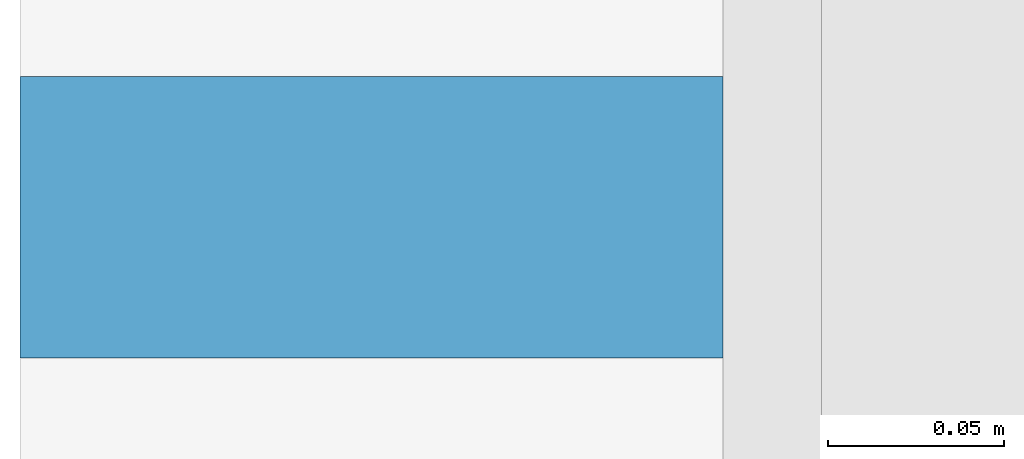
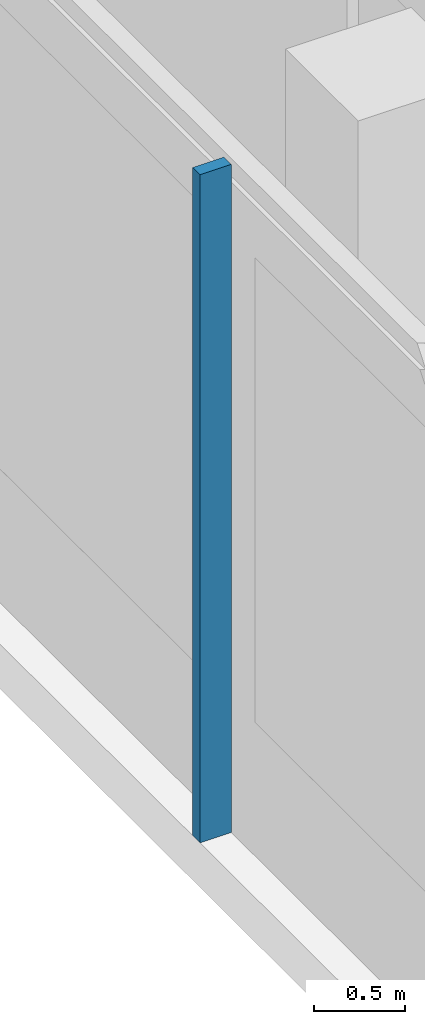
# One storey, part 7 of 39: 1 member, 1 element without a shape of its own.
"""IFC4 building model written with IfcOpenShell, lengths in metres."""

import ifcopenshell
import ifcopenshell.guid

model = None  # the IFC model being written
_history = None  # IfcOwnerHistory: only IFC2X3 demands one
_inside = {}  # id of a spatial element -> (the spatial element, [elements in it])
_under = {}  # id of a project, library or spatial element -> (it, [spatial elements below it])
_declared = {}  # id of a project -> (the project, [libraries it declares])
_typed = {}  # id of a type object -> (the type object, [elements of that type])
_made_of = {}  # id of a material, layer set ... -> (it, [elements and type objects made of it])


def new_model(schema):
    """Start an empty IFC model of exactly this schema.

    Asked for "IFC4X3", IfcOpenShell would pick the latest addendum, in which some entities
    have other attributes; the version numbers below select the first issue.
    IFC2X3 requires an IfcOwnerHistory on every rooted entity: one is made here for all.
    """
    global model, _history
    if schema == "IFC4X3":
        model = ifcopenshell.file(schema_version=(4, 3, 0, 0))
    else:
        model = ifcopenshell.file(schema=schema)
    _inside.clear()
    _under.clear()
    _declared.clear()
    _typed.clear()
    _made_of.clear()
    _history = None
    if model.schema == "IFC2X3":
        org = make("IfcOrganization", Name="unknown")
        user = make(
            "IfcPersonAndOrganization",
            ThePerson=make("IfcPerson", FamilyName="unknown"),
            TheOrganization=org,
        )
        app = make(
            "IfcApplication",
            ApplicationDeveloper=org,
            Version="unknown",
            ApplicationFullName="unknown",
            ApplicationIdentifier="unknown",
        )
        _history = make(
            "IfcOwnerHistory",
            OwningUser=user,
            OwningApplication=app,
            ChangeAction="ADDED",
            CreationDate=0,
        )
    return model


def make(cls, **values):
    """One entity of the class cls with the attributes given. An attribute that is None is left unset."""
    return model.create_entity(
        cls, **{name: value for name, value in values.items() if value is not None}
    )


def rooted(cls, **values):
    """An entity with a GlobalId (a new one), such as an element, a storey or a relation."""
    return make(cls, GlobalId=ifcopenshell.guid.new(), OwnerHistory=_history, **values)


def si_unit(unit_type, name, prefix=None):
    """IfcSIUnit, for example si_unit("LENGTHUNIT", "METRE", prefix="MILLI")."""
    return make("IfcSIUnit", UnitType=unit_type, Prefix=prefix, Name=name)


def assignment(units):
    """IfcUnitAssignment: the units of a project."""
    return None if units is None else make("IfcUnitAssignment", Units=units)


def point(xyz):
    """IfcCartesianPoint."""
    return None if xyz is None else make("IfcCartesianPoint", Coordinates=xyz)


def direction(xyz):
    """IfcDirection."""
    return None if xyz is None else make("IfcDirection", DirectionRatios=xyz)


def frame(location, z_axis=None, x_axis=None):
    """IfcAxis2Placement3D, a coordinate frame: its origin and axes. An axis left out is left unset."""
    return make(
        "IfcAxis2Placement3D",
        Location=point(location),
        Axis=direction(z_axis),
        RefDirection=direction(x_axis),
    )


def frame_2d(location, x_axis=None):
    """IfcAxis2Placement2D, a coordinate frame in the plane: its origin and x axis."""
    return make(
        "IfcAxis2Placement2D", Location=point(location), RefDirection=direction(x_axis)
    )


def origin():
    """The frame at (0, 0, 0) with its axes left unset."""
    return frame((0.0, 0.0, 0.0))


def origin_2d():
    """The frame at (0, 0) in the plane with its x axis left unset."""
    return frame_2d((0.0, 0.0))


def place(relative_to, where):
    """IfcLocalPlacement: puts the frame where relative to a parent placement (None: the world)."""
    return make(
        "IfcLocalPlacement", PlacementRelTo=relative_to, RelativePlacement=where
    )


def context(
    kind, dimensions, precision=None, world=None, true_north=None, identifier=None
):
    """IfcGeometricRepresentationContext, for example the 3D "Model" context."""
    return make(
        "IfcGeometricRepresentationContext",
        ContextIdentifier=identifier,
        ContextType=kind,
        CoordinateSpaceDimension=dimensions,
        Precision=precision,
        WorldCoordinateSystem=world,
        TrueNorth=true_north,
    )


def subcontext(parent, identifier, kind, view, scale=None):
    """IfcGeometricRepresentationSubContext, for example "Body" below "Model"."""
    return make(
        "IfcGeometricRepresentationSubContext",
        ContextIdentifier=identifier,
        ContextType=kind,
        ParentContext=parent,
        TargetScale=scale,
        TargetView=view,
    )


def project(units=None, contexts=None):
    """IfcProject with its units and contexts."""
    return rooted(
        "IfcProject",
        Name="project",
        RepresentationContexts=contexts,
        UnitsInContext=assignment(units),
    )


def spatial(cls, under=None, at=None, **own):
    """A site, building, storey or space (cls), placed at a placement, below another one or the project."""
    s = rooted(cls, ObjectPlacement=at, **own)
    if under is not None:
        _under.setdefault(under.id(), (under, []))[1].append(s)
    return s


def profile(cls, at=None, kind="AREA", **sizes):
    """A parametric profile (cls). Its sizes go by their IFC names, for example OverallWidth=200.0."""
    return make(cls, ProfileType=kind, Position=at, **sizes)


def rectangle(**sizes):
    """IfcRectangleProfileDef."""
    return profile("IfcRectangleProfileDef", **sizes)


def extrude(swept, where, along, depth):
    """IfcExtrudedAreaSolid: the profile swept, set in the frame where, extruded along a direction by depth."""
    return make(
        "IfcExtrudedAreaSolid",
        SweptArea=swept,
        Position=where,
        ExtrudedDirection=direction(along),
        Depth=depth,
    )


def shape(context_of_items, identifier, shape_type, items):
    """IfcShapeRepresentation: the items that make up one representation, for example the "Body"."""
    return make(
        "IfcShapeRepresentation",
        ContextOfItems=context_of_items,
        RepresentationIdentifier=identifier,
        RepresentationType=shape_type,
        Items=items,
    )


def material(Name=None, Category=None):
    """IfcMaterial."""
    return make("IfcMaterial", Name=Name, Category=Category)


def material_profile(
    of_material, cross_section, Name=None, Category=None, Priority=None
):
    """IfcMaterialProfile: a cross section and its material."""
    return make(
        "IfcMaterialProfile",
        Name=Name,
        Material=of_material,
        Profile=cross_section,
        Priority=Priority,
        Category=Category,
    )


def profile_set(profiles, Name=None, composite=None):
    """IfcMaterialProfileSet."""
    return make(
        "IfcMaterialProfileSet",
        Name=Name,
        MaterialProfiles=profiles,
        CompositeProfile=composite,
    )


def made_of(thing, what):
    """Note that an element or type object is made of a material, layer set ...; save() writes the relation."""
    if what is not None:
        _made_of.setdefault(what.id(), (what, []))[1].append(thing)
    return thing


def type_object(cls, material=None, **own):
    """A type object (cls), such as IfcWallType, which elements share."""
    return made_of(rooted(cls, **own), material)


def element(
    cls,
    number,
    at=None,
    inside=None,
    cuts=None,
    type_object=None,
    material=None,
    context=None,
    identifier="Body",
    shape_type=None,
    held_by="IfcProductDefinitionShape",
    body=None,
    shapes=None,
    **own,
):
    """One element of the class cls, such as IfcWall. Its Tag is "e" and its number.

    at: its placement. inside: the storey or other place that contains it. cuts: it is an
    opening in that element (IfcRelVoidsElement). A single representation is given by context,
    identifier, shape_type and body (its items); several are given by shapes. held_by: the class
    of the entity that holds the representations. save() writes the other relations.
    """
    e = rooted(cls, Tag="e%d" % number, ObjectPlacement=at, **own)
    if body is not None:
        shapes = [shape(context, identifier, shape_type, body)]
    if shapes is not None:
        e.Representation = make(held_by, Representations=shapes)
    if inside is not None:
        _inside.setdefault(inside.id(), (inside, []))[1].append(e)
    if cuts is not None:
        rooted(
            "IfcRelVoidsElement", RelatingBuildingElement=cuts, RelatedOpeningElement=e
        )
    if type_object is not None:
        _typed.setdefault(type_object.id(), (type_object, []))[1].append(e)
    return made_of(e, material)


def aggregate(whole, parts):
    """IfcRelAggregates: a whole, such as a stair, and the parts it consists of."""
    return rooted("IfcRelAggregates", RelatingObject=whole, RelatedObjects=parts)


def save(model, path):
    """Write the relations noted so far, then the file.

    IfcRelAggregates (storeys below a building ...), IfcRelContainedInSpatialStructure (elements
    in a storey), IfcRelDefinesByType, IfcRelAssociatesMaterial and IfcRelDeclares: one each for
    every whole, place, type object, material and project.
    """
    for whole, parts in _under.values():
        aggregate(whole, parts)
    for where, things in _inside.values():
        rooted(
            "IfcRelContainedInSpatialStructure",
            RelatedElements=things,
            RelatingStructure=where,
        )
    for kind, things in _typed.values():
        rooted("IfcRelDefinesByType", RelatedObjects=things, RelatingType=kind)
    for what, things in _made_of.values():
        rooted("IfcRelAssociatesMaterial", RelatedObjects=things, RelatingMaterial=what)
    for by, libraries in _declared.values():
        rooted("IfcRelDeclares", RelatingContext=by, RelatedDefinitions=libraries)
    model.write(path)


model = new_model("IFC4")

# Units and contexts
model_context = context("Model", 3, precision=1e-05, world=origin(), true_north=direction((0.0, 1.0)))
body_context = subcontext(model_context, "Body", "Model", "MODEL_VIEW")
ifc_project = project(units=[si_unit("LENGTHUNIT", "METRE"), si_unit("AREAUNIT", "SQUARE_METRE"), si_unit("VOLUMEUNIT", "CUBIC_METRE"), si_unit("PLANEANGLEUNIT", "RADIAN"), si_unit("MASSUNIT", "GRAM", prefix="KILO")], contexts=[model_context])

# Site, building, storey
site_placement = place(None, origin())
site = spatial("IfcSite", under=ifc_project, at=site_placement, CompositionType="ELEMENT")
building_placement = place(site_placement, origin())
building = spatial("IfcBuilding", under=site, at=building_placement, Name="Saffron Gate Tower", CompositionType="ELEMENT")
storey_placement = place(building_placement, frame((0.0, 0.0, 14.39990234375)))
storey = spatial("IfcBuildingStorey", under=building, at=storey_placement, Name="L02", CompositionType="ELEMENT", Elevation=14.39990234375)

# Curtain wall, member
ifc_material = material(Name="Aluminium, bronze anodised", Category="aluminium")
curtain_wall_type = type_object("IfcCurtainWallType", Name="CWS5 curtain wall podium ring base", PredefinedType="NOTDEFINED", material=ifc_material)
curtain_wall_placement = place(storey_placement, origin())
curtain_wall = element("IfcCurtainWall", 1, at=curtain_wall_placement, inside=storey, type_object=curtain_wall_type, Name="CWS5 run 4", PredefinedType="NOTDEFINED")
ifc_material_profile = material_profile(ifc_material, rectangle(XDim=0.199951171875, YDim=0.080078125, at=origin_2d()))
ifc_profile_set = profile_set([ifc_material_profile], Name="Aluminium, bronze anodised")
member_type = type_object("IfcMemberType", Name="CWS5 mullion 80x200", PredefinedType="MULLION", material=ifc_profile_set)
member_placement = place(storey_placement, frame((31.89990234375, 48.60009765625, 0.0), z_axis=(0.0, 0.0, 1.0), x_axis=(1.0, 0.0, 0.0)))
member = element("IfcMember", 2, at=member_placement, type_object=member_type, Name="CWS5 mullion 6", PredefinedType="MULLION", context=body_context, shape_type="SweptSolid", body=[
    extrude(rectangle(XDim=0.199951171875, YDim=0.080078125, at=origin_2d()), origin(), (0.0, 0.0, 1.0), 4.5),
])
aggregate(curtain_wall, [member])

save(model, "model.ifc")
